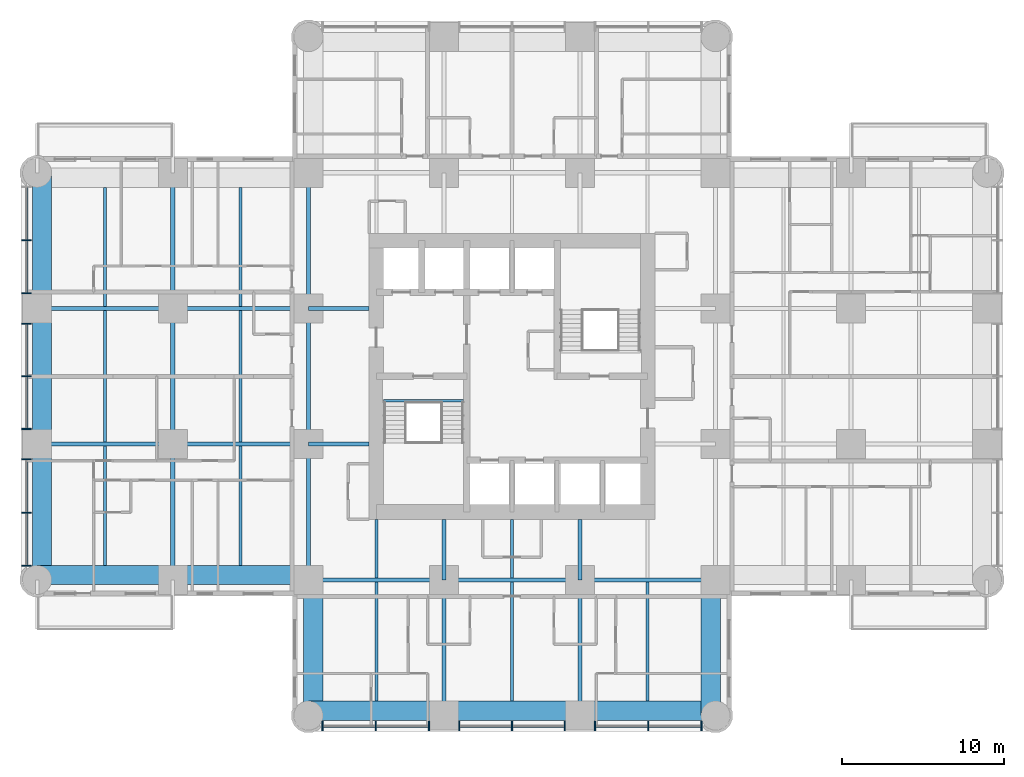
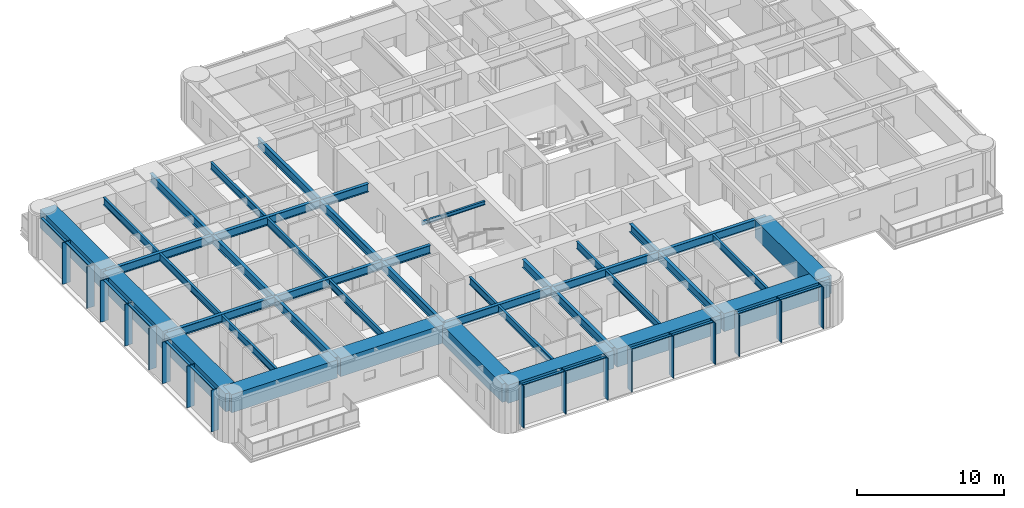
# One storey, part 2 of 14: 41 beams, 29 members, 2 elements without a shape of their own.
"""IFC4 building model written with IfcOpenShell, lengths in metres."""

from ifc_helpers import new_model, si_unit, direction, frame, origin, origin_2d, place, context, subcontext, project, spatial, rectangle, i_section, extrude, material, material_profile, profile_set, type_object, element, aggregate, save


model = new_model("IFC4")

# Units and contexts
model_context = context("Model", 3, precision=1e-05, world=origin(), true_north=direction((0.0, 1.0)))
body_context = subcontext(model_context, "Body", "Model", "MODEL_VIEW")
ifc_project = project(units=[si_unit("LENGTHUNIT", "METRE"), si_unit("AREAUNIT", "SQUARE_METRE"), si_unit("VOLUMEUNIT", "CUBIC_METRE"), si_unit("PLANEANGLEUNIT", "RADIAN"), si_unit("MASSUNIT", "GRAM", prefix="KILO")], contexts=[model_context])

# Site, building, storey
site_placement = place(None, origin())
site = spatial("IfcSite", under=ifc_project, at=site_placement, CompositionType="ELEMENT")
building_placement = place(site_placement, origin())
building = spatial("IfcBuilding", under=site, at=building_placement, Name="Torre Alcanfor", CompositionType="ELEMENT")
storey_placement = place(building_placement, frame((0.0, 0.0, 170.10009765625)))
storey = spatial("IfcBuildingStorey", under=building, at=storey_placement, Name="L44", CompositionType="ELEMENT", Elevation=170.10009765625)

# Curtain wall, members
ifc_material_1 = material(Name="Aluminium and glass", Category="aluminium")
curtain_wall_type = type_object("IfcCurtainWallType", Name="CW-A unitised apartment glazing with vertical FIN", PredefinedType="NOTDEFINED", material=ifc_material_1)
curtain_wall_1_placement = place(storey_placement, origin())
curtain_wall_1 = element("IfcCurtainWall", 1, at=curtain_wall_1_placement, inside=storey, type_object=curtain_wall_type, Name="Curtain wall CW-A L44 2", PredefinedType="NOTDEFINED")
ifc_material_2 = material(Name="Bronze anodised aluminium", Category="aluminium")
ifc_material_profile_1 = material_profile(ifc_material_2, rectangle(XDim=0.60009765625, YDim=0.06494140625, at=origin_2d()), Name="CW-A mullion 65x600")
ifc_profile_set_1 = profile_set([ifc_material_profile_1], Name="Bronze anodised aluminium")
member_type_1 = type_object("IfcMemberType", Name="CW-A mullion with vertical FIN 65x600", PredefinedType="MULLION", material=ifc_profile_set_1)
member_1_placement = place(storey_placement, frame((-0.64990234375, 37.835205078125, 0.0), z_axis=(0.0, 0.0, 1.0), x_axis=(1.0, 0.0, 0.0)))
member_1 = element("IfcMember", 2, at=member_1_placement, type_object=member_type_1, Name="CW-A mullion 1.2", PredefinedType="MULLION", context=body_context, shape_type="SweptSolid", body=[
    extrude(rectangle(XDim=0.60009765625, YDim=0.06494140625, at=origin_2d()), origin(), (0.0, 0.0, 1.0), 3.449951171875),
])
member_2_placement = place(storey_placement, frame((-0.64990234375, 34.53759765625, 0.0), z_axis=(0.0, 0.0, 1.0), x_axis=(1.0, 0.0, 0.0)))
member_2 = element("IfcMember", 3, at=member_2_placement, type_object=member_type_1, Name="CW-A mullion 1.3", PredefinedType="MULLION", context=body_context, shape_type="SweptSolid", body=[
    extrude(rectangle(XDim=0.60009765625, YDim=0.06494140625, at=origin_2d()), origin(), (0.0, 0.0, 1.0), 3.449951171875),
])
member_3_placement = place(storey_placement, frame((-0.64990234375, 32.66259765625, 0.0), z_axis=(0.0, 0.0, 1.0), x_axis=(1.0, 0.0, 0.0)))
member_3 = element("IfcMember", 4, at=member_3_placement, type_object=member_type_1, Name="CW-A mullion 2.1", PredefinedType="MULLION", context=body_context, shape_type="SweptSolid", body=[
    extrude(rectangle(XDim=0.60009765625, YDim=0.06494140625, at=origin_2d()), origin(), (0.0, 0.0, 1.0), 3.449951171875),
])
member_4_placement = place(storey_placement, frame((-0.64990234375, 29.39990234375, 0.0), z_axis=(0.0, 0.0, 1.0), x_axis=(1.0, 0.0, 0.0)))
member_4 = element("IfcMember", 5, at=member_4_placement, type_object=member_type_1, Name="CW-A mullion 2.2", PredefinedType="MULLION", context=body_context, shape_type="SweptSolid", body=[
    extrude(rectangle(XDim=0.60009765625, YDim=0.06494140625, at=origin_2d()), origin(), (0.0, 0.0, 1.0), 3.449951171875),
])
member_5_placement = place(storey_placement, frame((-0.64990234375, 26.137451171875, 0.0), z_axis=(0.0, 0.0, 1.0), x_axis=(1.0, 0.0, 0.0)))
member_5 = element("IfcMember", 6, at=member_5_placement, type_object=member_type_1, Name="CW-A mullion 2.3", PredefinedType="MULLION", context=body_context, shape_type="SweptSolid", body=[
    extrude(rectangle(XDim=0.60009765625, YDim=0.06494140625, at=origin_2d()), origin(), (0.0, 0.0, 1.0), 3.449951171875),
])
member_6_placement = place(storey_placement, frame((-0.64990234375, 24.262451171875, 0.0), z_axis=(0.0, 0.0, 1.0), x_axis=(1.0, 0.0, 0.0)))
member_6 = element("IfcMember", 7, at=member_6_placement, type_object=member_type_1, Name="CW-A mullion 3.1", PredefinedType="MULLION", context=body_context, shape_type="SweptSolid", body=[
    extrude(rectangle(XDim=0.60009765625, YDim=0.06494140625, at=origin_2d()), origin(), (0.0, 0.0, 1.0), 3.449951171875),
])
member_7_placement = place(storey_placement, frame((-0.64990234375, 20.96484375, 0.0), z_axis=(0.0, 0.0, 1.0), x_axis=(1.0, 0.0, 0.0)))
member_7 = element("IfcMember", 8, at=member_7_placement, type_object=member_type_1, Name="CW-A mullion 3.2", PredefinedType="MULLION", context=body_context, shape_type="SweptSolid", body=[
    extrude(rectangle(XDim=0.60009765625, YDim=0.06494140625, at=origin_2d()), origin(), (0.0, 0.0, 1.0), 3.449951171875),
])
member_8_placement = place(storey_placement, frame((-0.64990234375, 17.6669921875, 0.0), z_axis=(0.0, 0.0, 1.0), x_axis=(1.0, 0.0, 0.0)))
member_8 = element("IfcMember", 9, at=member_8_placement, type_object=member_type_1, Name="CW-A mullion 3.3", PredefinedType="MULLION", context=body_context, shape_type="SweptSolid", body=[
    extrude(rectangle(XDim=0.60009765625, YDim=0.06494140625, at=origin_2d()), origin(), (0.0, 0.0, 1.0), 3.449951171875),
])

curtain_wall_2_placement = place(storey_placement, origin())
curtain_wall_2 = element("IfcCurtainWall", 10, at=curtain_wall_2_placement, inside=storey, type_object=curtain_wall_type, Name="Curtain wall CW-A L44 5", PredefinedType="NOTDEFINED")
member_9_placement = place(storey_placement, frame((17.6669921875, 7.75, 0.0), z_axis=(0.0, 0.0, 1.0), x_axis=(0.0, 1.0, 0.0)))
member_9 = element("IfcMember", 11, at=member_9_placement, type_object=member_type_1, Name="CW-A mullion 1.1", PredefinedType="MULLION", context=body_context, shape_type="SweptSolid", body=[
    extrude(rectangle(XDim=0.60009765625, YDim=0.06494140625, at=origin_2d()), origin(), (0.0, 0.0, 1.0), 3.449951171875),
])
member_10_placement = place(storey_placement, frame((20.96484375, 7.75, 0.0), z_axis=(0.0, 0.0, 1.0), x_axis=(0.0, 1.0, 0.0)))
member_10 = element("IfcMember", 12, at=member_10_placement, type_object=member_type_1, Name="CW-A mullion 1.2", PredefinedType="MULLION", context=body_context, shape_type="SweptSolid", body=[
    extrude(rectangle(XDim=0.60009765625, YDim=0.06494140625, at=origin_2d()), origin(), (0.0, 0.0, 1.0), 3.449951171875),
])
member_11_placement = place(storey_placement, frame((24.262451171875, 7.75, 0.0), z_axis=(0.0, 0.0, 1.0), x_axis=(0.0, 1.0, 0.0)))
member_11 = element("IfcMember", 13, at=member_11_placement, type_object=member_type_1, Name="CW-A mullion 1.3", PredefinedType="MULLION", context=body_context, shape_type="SweptSolid", body=[
    extrude(rectangle(XDim=0.60009765625, YDim=0.06494140625, at=origin_2d()), origin(), (0.0, 0.0, 1.0), 3.449951171875),
])
member_12_placement = place(storey_placement, frame((26.137451171875, 7.75, 0.0), z_axis=(0.0, 0.0, 1.0), x_axis=(0.0, 1.0, 0.0)))
member_12 = element("IfcMember", 14, at=member_12_placement, type_object=member_type_1, Name="CW-A mullion 2.1", PredefinedType="MULLION", context=body_context, shape_type="SweptSolid", body=[
    extrude(rectangle(XDim=0.60009765625, YDim=0.06494140625, at=origin_2d()), origin(), (0.0, 0.0, 1.0), 3.449951171875),
])
member_13_placement = place(storey_placement, frame((29.39990234375, 7.75, 0.0), z_axis=(0.0, 0.0, 1.0), x_axis=(0.0, 1.0, 0.0)))
member_13 = element("IfcMember", 15, at=member_13_placement, type_object=member_type_1, Name="CW-A mullion 2.2", PredefinedType="MULLION", context=body_context, shape_type="SweptSolid", body=[
    extrude(rectangle(XDim=0.60009765625, YDim=0.06494140625, at=origin_2d()), origin(), (0.0, 0.0, 1.0), 3.449951171875),
])
member_14_placement = place(storey_placement, frame((32.66259765625, 7.75, 0.0), z_axis=(0.0, 0.0, 1.0), x_axis=(0.0, 1.0, 0.0)))
member_14 = element("IfcMember", 16, at=member_14_placement, type_object=member_type_1, Name="CW-A mullion 2.3", PredefinedType="MULLION", context=body_context, shape_type="SweptSolid", body=[
    extrude(rectangle(XDim=0.60009765625, YDim=0.06494140625, at=origin_2d()), origin(), (0.0, 0.0, 1.0), 3.449951171875),
])
member_15_placement = place(storey_placement, frame((34.53759765625, 7.75, 0.0), z_axis=(0.0, 0.0, 1.0), x_axis=(0.0, 1.0, 0.0)))
member_15 = element("IfcMember", 17, at=member_15_placement, type_object=member_type_1, Name="CW-A mullion 3.1", PredefinedType="MULLION", context=body_context, shape_type="SweptSolid", body=[
    extrude(rectangle(XDim=0.60009765625, YDim=0.06494140625, at=origin_2d()), origin(), (0.0, 0.0, 1.0), 3.449951171875),
])
member_16_placement = place(storey_placement, frame((37.835205078125, 7.75, 0.0), z_axis=(0.0, 0.0, 1.0), x_axis=(0.0, 1.0, 0.0)))
member_16 = element("IfcMember", 18, at=member_16_placement, type_object=member_type_1, Name="CW-A mullion 3.2", PredefinedType="MULLION", context=body_context, shape_type="SweptSolid", body=[
    extrude(rectangle(XDim=0.60009765625, YDim=0.06494140625, at=origin_2d()), origin(), (0.0, 0.0, 1.0), 3.449951171875),
])
member_17_placement = place(storey_placement, frame((41.133056640625, 7.75, 0.0), z_axis=(0.0, 0.0, 1.0), x_axis=(0.0, 1.0, 0.0)))
member_17 = element("IfcMember", 19, at=member_17_placement, type_object=member_type_1, Name="CW-A mullion 3.3", PredefinedType="MULLION", context=body_context, shape_type="SweptSolid", body=[
    extrude(rectangle(XDim=0.60009765625, YDim=0.06494140625, at=origin_2d()), origin(), (0.0, 0.0, 1.0), 3.449951171875),
])

# Member
ifc_material_3 = material(Name="Extruded aluminium", Category="aluminium")
ifc_material_profile_2 = material_profile(ifc_material_3, rectangle(XDim=0.199951171875, YDim=0.06494140625, at=origin_2d()), Name="CW-A transom 200x65")
ifc_profile_set_2 = profile_set([ifc_material_profile_2], Name="Extruded aluminium")
member_type_2 = type_object("IfcMemberType", Name="CW-A transom 65x200", PredefinedType="USERDEFINED", material=ifc_profile_set_2)
member_18_placement = place(storey_placement, frame((-0.64990234375, 41.1005859375, 3.41748046875), z_axis=(0.0, -1.0, 0.0), x_axis=(1.0, 0.0, 0.0)))
member_18 = element("IfcMember", 20, at=member_18_placement, type_object=member_type_2, Name="CW-A transom 1.1.2", ObjectType="TRANSOM", PredefinedType="USERDEFINED", context=body_context, shape_type="SweptSolid", body=[
    extrude(rectangle(XDim=0.199951171875, YDim=0.06494140625, at=origin_2d()), origin(), (0.0, 0.0, 1.0), 3.23291015625),
])

member_19_placement = place(storey_placement, frame((-0.64990234375, 37.802734375, 3.41748046875), z_axis=(0.0, -1.0, 0.0), x_axis=(1.0, 0.0, 0.0)))
member_19 = element("IfcMember", 21, at=member_19_placement, type_object=member_type_2, Name="CW-A transom 1.2.2", ObjectType="TRANSOM", PredefinedType="USERDEFINED", context=body_context, shape_type="SweptSolid", body=[
    extrude(rectangle(XDim=0.199951171875, YDim=0.06494140625, at=origin_2d()), origin(), (0.0, 0.0, 1.0), 3.232666015625),
])

member_20_placement = place(storey_placement, frame((-0.64990234375, 32.6298828125, 3.41748046875), z_axis=(0.0, -1.0, 0.0), x_axis=(1.0, 0.0, 0.0)))
member_20 = element("IfcMember", 22, at=member_20_placement, type_object=member_type_2, Name="CW-A transom 2.1.2", ObjectType="TRANSOM", PredefinedType="USERDEFINED", context=body_context, shape_type="SweptSolid", body=[
    extrude(rectangle(XDim=0.199951171875, YDim=0.06494140625, at=origin_2d()), origin(), (0.0, 0.0, 1.0), 3.197265625),
])

member_21_placement = place(storey_placement, frame((-0.64990234375, 29.367431640625, 3.41748046875), z_axis=(0.0, -1.0, 0.0), x_axis=(1.0, 0.0, 0.0)))
member_21 = element("IfcMember", 23, at=member_21_placement, type_object=member_type_2, Name="CW-A transom 2.2.2", ObjectType="TRANSOM", PredefinedType="USERDEFINED", context=body_context, shape_type="SweptSolid", body=[
    extrude(rectangle(XDim=0.199951171875, YDim=0.06494140625, at=origin_2d()), origin(), (0.0, 0.0, 1.0), 3.197509765625),
])

member_22_placement = place(storey_placement, frame((-0.64990234375, 24.22998046875, 3.41748046875), z_axis=(0.0, -1.0, 0.0), x_axis=(1.0, 0.0, 0.0)))
member_22 = element("IfcMember", 24, at=member_22_placement, type_object=member_type_2, Name="CW-A transom 3.1.2", ObjectType="TRANSOM", PredefinedType="USERDEFINED", context=body_context, shape_type="SweptSolid", body=[
    extrude(rectangle(XDim=0.199951171875, YDim=0.06494140625, at=origin_2d()), origin(), (0.0, 0.0, 1.0), 3.232666015625),
])

member_23_placement = place(storey_placement, frame((-0.64990234375, 20.93212890625, 3.41748046875), z_axis=(0.0, -1.0, 0.0), x_axis=(1.0, 0.0, 0.0)))
member_23 = element("IfcMember", 25, at=member_23_placement, type_object=member_type_2, Name="CW-A transom 3.2.2", ObjectType="TRANSOM", PredefinedType="USERDEFINED", context=body_context, shape_type="SweptSolid", body=[
    extrude(rectangle(XDim=0.199951171875, YDim=0.06494140625, at=origin_2d()), origin(), (0.0, 0.0, 1.0), 3.232666015625),
])

aggregate(curtain_wall_1, [member_1, member_2, member_18, member_19, member_3, member_4, member_5, member_20, member_21, member_6, member_7, member_8, member_22, member_23])

member_24_placement = place(storey_placement, frame((17.699462890625, 7.75, 3.41748046875), z_axis=(1.0, 0.0, 0.0), x_axis=(0.0, 1.0, 0.0)))
member_24 = element("IfcMember", 26, at=member_24_placement, type_object=member_type_2, Name="CW-A transom 1.1.2", ObjectType="TRANSOM", PredefinedType="USERDEFINED", context=body_context, shape_type="SweptSolid", body=[
    extrude(rectangle(XDim=0.199951171875, YDim=0.06494140625, at=origin_2d()), origin(), (0.0, 0.0, 1.0), 3.232666015625),
])

member_25_placement = place(storey_placement, frame((20.997314453125, 7.75, 3.41748046875), z_axis=(1.0, 0.0, 0.0), x_axis=(0.0, 1.0, 0.0)))
member_25 = element("IfcMember", 27, at=member_25_placement, type_object=member_type_2, Name="CW-A transom 1.2.2", ObjectType="TRANSOM", PredefinedType="USERDEFINED", context=body_context, shape_type="SweptSolid", body=[
    extrude(rectangle(XDim=0.199951171875, YDim=0.06494140625, at=origin_2d()), origin(), (0.0, 0.0, 1.0), 3.232666015625),
])

member_26_placement = place(storey_placement, frame((26.169921875, 7.75, 3.41748046875), z_axis=(1.0, 0.0, 0.0), x_axis=(0.0, 1.0, 0.0)))
member_26 = element("IfcMember", 28, at=member_26_placement, type_object=member_type_2, Name="CW-A transom 2.1.2", ObjectType="TRANSOM", PredefinedType="USERDEFINED", context=body_context, shape_type="SweptSolid", body=[
    extrude(rectangle(XDim=0.199951171875, YDim=0.06494140625, at=origin_2d()), origin(), (0.0, 0.0, 1.0), 3.197509765625),
])

member_27_placement = place(storey_placement, frame((29.4326171875, 7.75, 3.41748046875), z_axis=(1.0, 0.0, 0.0), x_axis=(0.0, 1.0, 0.0)))
member_27 = element("IfcMember", 29, at=member_27_placement, type_object=member_type_2, Name="CW-A transom 2.2.2", ObjectType="TRANSOM", PredefinedType="USERDEFINED", context=body_context, shape_type="SweptSolid", body=[
    extrude(rectangle(XDim=0.199951171875, YDim=0.06494140625, at=origin_2d()), origin(), (0.0, 0.0, 1.0), 3.197265625),
])

member_28_placement = place(storey_placement, frame((34.570068359375, 7.75, 3.41748046875), z_axis=(1.0, 0.0, 0.0), x_axis=(0.0, 1.0, 0.0)))
member_28 = element("IfcMember", 30, at=member_28_placement, type_object=member_type_2, Name="CW-A transom 3.1.2", ObjectType="TRANSOM", PredefinedType="USERDEFINED", context=body_context, shape_type="SweptSolid", body=[
    extrude(rectangle(XDim=0.199951171875, YDim=0.06494140625, at=origin_2d()), origin(), (0.0, 0.0, 1.0), 3.232666015625),
])

member_29_placement = place(storey_placement, frame((37.86767578125, 7.75, 3.41748046875), z_axis=(1.0, 0.0, 0.0), x_axis=(0.0, 1.0, 0.0)))
member_29 = element("IfcMember", 31, at=member_29_placement, type_object=member_type_2, Name="CW-A transom 3.2.2", ObjectType="TRANSOM", PredefinedType="USERDEFINED", context=body_context, shape_type="SweptSolid", body=[
    extrude(rectangle(XDim=0.199951171875, YDim=0.06494140625, at=origin_2d()), origin(), (0.0, 0.0, 1.0), 3.23291015625),
])

aggregate(curtain_wall_2, [member_9, member_10, member_11, member_24, member_25, member_12, member_13, member_14, member_26, member_27, member_15, member_16, member_17, member_28, member_29])

# Beams
ifc_material_4 = material(Name="Steel ASTM A992 Grade 50", Category="steel")
ifc_material_profile_3 = material_profile(ifc_material_4, i_section(OverallWidth=0.25390625, OverallDepth=0.683349609375, WebThickness=0.012451171875, FlangeThickness=0.01904296875, at=origin_2d()), Name="W27x94")
ifc_profile_set_3 = profile_set([ifc_material_profile_3], Name="Steel ASTM A992 Grade 50")
beam_type_1 = type_object("IfcBeamType", Name="Girder W27x94", PredefinedType="BEAM", material=ifc_profile_set_3)
beam_1_placement = place(storey_placement, frame((16.800048828125, 16.800048828125, 3.108154296875), z_axis=(1.0, 0.0, 0.0), x_axis=(0.0, 1.0, 0.0)))
element("IfcBeam", 32, at=beam_1_placement, inside=storey, type_object=beam_type_1, Name="Beam 3E-4E under L45", PredefinedType="BEAM", context=body_context, shape_type="SweptSolid", body=[
    extrude(i_section(OverallWidth=0.25390625, OverallDepth=0.683349609375, WebThickness=0.012451171875, FlangeThickness=0.01904296875, at=origin_2d()), origin(), (0.0, 0.0, 1.0), 8.39990234375),
])
beam_2_placement = place(storey_placement, frame((25.199951171875, 16.800048828125, 3.108154296875), z_axis=(1.0, 0.0, 0.0), x_axis=(0.0, 1.0, 0.0)))
element("IfcBeam", 33, at=beam_2_placement, inside=storey, type_object=beam_type_1, Name="Beam 4E-5E under L45", PredefinedType="BEAM", context=body_context, shape_type="SweptSolid", body=[
    extrude(i_section(OverallWidth=0.25390625, OverallDepth=0.683349609375, WebThickness=0.012451171875, FlangeThickness=0.01904296875, at=origin_2d()), origin(), (0.0, 0.0, 1.0), 8.400146484375),
])
for number, where, z_axis, x_axis, name in (
    (34, (33.60009765625, 16.800048828125, 3.108154296875), (1.0, 0.0, 0.0), (0.0, 1.0, 0.0), "Beam 5E-6E under L45"),
    (35, (0.0, 25.199951171875, 3.108154296875), (1.0, 0.0, 0.0), (0.0, 1.0, 0.0), "Beam 1F-2F under L45"),
):
    element("IfcBeam", number, at=place(storey_placement, frame(where, z_axis=z_axis, x_axis=x_axis)), inside=storey, type_object=beam_type_1, Name=name, PredefinedType="BEAM", context=body_context, shape_type="SweptSolid", body=[
        extrude(i_section(OverallWidth=0.25390625, OverallDepth=0.683349609375, WebThickness=0.012451171875, FlangeThickness=0.01904296875, at=origin_2d()), origin(), (0.0, 0.0, 1.0), 8.39990234375),
    ])
beam_3_placement = place(storey_placement, frame((8.39990234375, 25.199951171875, 3.108154296875), z_axis=(1.0, 0.0, 0.0), x_axis=(0.0, 1.0, 0.0)))
element("IfcBeam", 36, at=beam_3_placement, inside=storey, type_object=beam_type_1, Name="Beam 2F-3F under L45", PredefinedType="BEAM", context=body_context, shape_type="SweptSolid", body=[
    extrude(i_section(OverallWidth=0.25390625, OverallDepth=0.683349609375, WebThickness=0.012451171875, FlangeThickness=0.01904296875, at=origin_2d()), origin(), (0.0, 0.0, 1.0), 8.400146484375),
])
beam_4_placement = place(storey_placement, frame((0.0, 33.60009765625, 3.108154296875), z_axis=(1.0, 0.0, 0.0), x_axis=(0.0, 1.0, 0.0)))
element("IfcBeam", 37, at=beam_4_placement, inside=storey, type_object=beam_type_1, Name="Beam 1G-2G under L45", PredefinedType="BEAM", context=body_context, shape_type="SweptSolid", body=[
    extrude(i_section(OverallWidth=0.25390625, OverallDepth=0.683349609375, WebThickness=0.012451171875, FlangeThickness=0.01904296875, at=origin_2d()), origin(), (0.0, 0.0, 1.0), 8.39990234375),
])
beam_5_placement = place(storey_placement, frame((8.39990234375, 33.60009765625, 3.108154296875), z_axis=(1.0, 0.0, 0.0), x_axis=(0.0, 1.0, 0.0)))
element("IfcBeam", 38, at=beam_5_placement, inside=storey, type_object=beam_type_1, Name="Beam 2G-3G under L45", PredefinedType="BEAM", context=body_context, shape_type="SweptSolid", body=[
    extrude(i_section(OverallWidth=0.25390625, OverallDepth=0.683349609375, WebThickness=0.012451171875, FlangeThickness=0.01904296875, at=origin_2d()), origin(), (0.0, 0.0, 1.0), 8.400146484375),
])
beam_6_placement = place(storey_placement, frame((8.39990234375, 16.800048828125, 3.108154296875), z_axis=(0.0, 1.0, 0.0), x_axis=(-1.0, 0.0, 0.0)))
element("IfcBeam", 39, at=beam_6_placement, inside=storey, type_object=beam_type_1, Name="Beam 2E-2F under L45", PredefinedType="BEAM", context=body_context, shape_type="SweptSolid", body=[
    extrude(i_section(OverallWidth=0.25390625, OverallDepth=0.683349609375, WebThickness=0.012451171875, FlangeThickness=0.01904296875, at=origin_2d()), origin(), (0.0, 0.0, 1.0), 8.39990234375),
])
beam_7_placement = place(storey_placement, frame((8.39990234375, 25.199951171875, 3.108154296875), z_axis=(0.0, 1.0, 0.0), x_axis=(-1.0, 0.0, 0.0)))
element("IfcBeam", 40, at=beam_7_placement, inside=storey, type_object=beam_type_1, Name="Beam 2F-2G under L45", PredefinedType="BEAM", context=body_context, shape_type="SweptSolid", body=[
    extrude(i_section(OverallWidth=0.25390625, OverallDepth=0.683349609375, WebThickness=0.012451171875, FlangeThickness=0.01904296875, at=origin_2d()), origin(), (0.0, 0.0, 1.0), 8.400146484375),
])
for number, where, z_axis, x_axis, name in (
    (41, (8.39990234375, 33.60009765625, 3.108154296875), (0.0, 1.0, 0.0), (-1.0, 0.0, 0.0), "Beam 2G-2H under L45"),
    (42, (16.800048828125, 16.800048828125, 3.108154296875), (0.0, 1.0, 0.0), (-1.0, 0.0, 0.0), "Beam 3E-3F under L45"),
):
    element("IfcBeam", number, at=place(storey_placement, frame(where, z_axis=z_axis, x_axis=x_axis)), inside=storey, type_object=beam_type_1, Name=name, PredefinedType="BEAM", context=body_context, shape_type="SweptSolid", body=[
        extrude(i_section(OverallWidth=0.25390625, OverallDepth=0.683349609375, WebThickness=0.012451171875, FlangeThickness=0.01904296875, at=origin_2d()), origin(), (0.0, 0.0, 1.0), 8.39990234375),
    ])
beam_8_placement = place(storey_placement, frame((16.800048828125, 25.199951171875, 3.108154296875), z_axis=(0.0, 1.0, 0.0), x_axis=(-1.0, 0.0, 0.0)))
element("IfcBeam", 43, at=beam_8_placement, inside=storey, type_object=beam_type_1, Name="Beam 3F-3G under L45", PredefinedType="BEAM", context=body_context, shape_type="SweptSolid", body=[
    extrude(i_section(OverallWidth=0.25390625, OverallDepth=0.683349609375, WebThickness=0.012451171875, FlangeThickness=0.01904296875, at=origin_2d()), origin(), (0.0, 0.0, 1.0), 8.400146484375),
])
beam_9_placement = place(storey_placement, frame((16.800048828125, 33.60009765625, 3.108154296875), z_axis=(0.0, 1.0, 0.0), x_axis=(-1.0, 0.0, 0.0)))
element("IfcBeam", 44, at=beam_9_placement, inside=storey, type_object=beam_type_1, Name="Beam 3G-3H under L45", PredefinedType="BEAM", context=body_context, shape_type="SweptSolid", body=[
    extrude(i_section(OverallWidth=0.25390625, OverallDepth=0.683349609375, WebThickness=0.012451171875, FlangeThickness=0.01904296875, at=origin_2d()), origin(), (0.0, 0.0, 1.0), 8.39990234375),
])
for number, where, z_axis, x_axis, name in (
    (45, (25.199951171875, 8.39990234375, 3.108154296875), (0.0, 1.0, 0.0), (-1.0, 0.0, 0.0), "Beam 4D-4E under L45"),
    (46, (33.60009765625, 8.39990234375, 3.108154296875), (0.0, 1.0, 0.0), (-1.0, 0.0, 0.0), "Beam 5D-5E under L45"),
):
    element("IfcBeam", number, at=place(storey_placement, frame(where, z_axis=z_axis, x_axis=x_axis)), inside=storey, type_object=beam_type_1, Name=name, PredefinedType="BEAM", context=body_context, shape_type="SweptSolid", body=[
        extrude(i_section(OverallWidth=0.25390625, OverallDepth=0.683349609375, WebThickness=0.012451171875, FlangeThickness=0.01904296875, at=origin_2d()), origin(), (0.0, 0.0, 1.0), 8.400146484375),
    ])
ifc_material_5 = material(Name="Steel ASTM A992 Grade 50", Category="steel")
ifc_material_profile_4 = material_profile(ifc_material_5, i_section(OverallWidth=0.25390625, OverallDepth=0.683349609375, WebThickness=0.012451171875, FlangeThickness=0.01904296875, at=origin_2d()), Name="W27x94")
ifc_profile_set_4 = profile_set([ifc_material_profile_4], Name="Steel ASTM A992 Grade 50")
beam_type_2 = type_object("IfcBeamType", Name="Girder, part bay W27x94", PredefinedType="BEAM", material=ifc_profile_set_4)
for number, where, z_axis, x_axis, name in (
    (47, (25.199951171875, 16.800048828125, 3.108154296875), (0.0, 1.0, 0.0), (-1.0, 0.0, 0.0), "Beam 4E-420_55 under L45"),
    (48, (33.60009765625, 16.800048828125, 3.108154296875), (0.0, 1.0, 0.0), (-1.0, 0.0, 0.0), "Beam 5E-520_55 under L45"),
    (49, (16.800048828125, 25.199951171875, 3.108154296875), (1.0, 0.0, 0.0), (0.0, 1.0, 0.0), "Beam 3F-20_55F under L45"),
    (50, (16.800048828125, 33.60009765625, 3.108154296875), (1.0, 0.0, 0.0), (0.0, 1.0, 0.0), "Beam 3G-20_55G under L45"),
):
    element("IfcBeam", number, at=place(storey_placement, frame(where, z_axis=z_axis, x_axis=x_axis)), inside=storey, type_object=beam_type_2, Name=name, PredefinedType="BEAM", context=body_context, shape_type="SweptSolid", body=[
        extrude(i_section(OverallWidth=0.25390625, OverallDepth=0.683349609375, WebThickness=0.012451171875, FlangeThickness=0.01904296875, at=origin_2d()), origin(), (0.0, 0.0, 1.0), 3.75),
    ])
ifc_material_6 = material(Name="Concrete f'c 70 MPa", Category="concrete")
ifc_material_profile_5 = material_profile(ifc_material_6, rectangle(XDim=1.199951171875, YDim=1.5, at=origin_2d()), Name="1200x1500")
ifc_profile_set_5 = profile_set([ifc_material_profile_5], Name="Concrete f'c 70 MPa")
beam_type_3 = type_object("IfcBeamType", Name="RC perimeter beam 1200x1500", PredefinedType="BEAM", material=ifc_profile_set_5)
beam_10_placement = place(storey_placement, frame((16.800048828125, 8.699951171875, 2.699951171875), z_axis=(1.0, 0.0, 0.0), x_axis=(0.0, 1.0, 0.0)))
element("IfcBeam", 51, at=beam_10_placement, inside=storey, type_object=beam_type_3, Name="Beam 3D-4D under L45", PredefinedType="BEAM", context=body_context, shape_type="SweptSolid", body=[
    extrude(rectangle(XDim=1.199951171875, YDim=1.5, at=origin_2d()), origin(), (0.0, 0.0, 1.0), 8.27294921875),
])
beam_11_placement = place(storey_placement, frame((25.326904296875, 8.699951171875, 2.699951171875), z_axis=(1.0, 0.0, 0.0), x_axis=(0.0, 1.0, 0.0)))
element("IfcBeam", 52, at=beam_11_placement, inside=storey, type_object=beam_type_3, Name="Beam 4D-5D under L45", PredefinedType="BEAM", context=body_context, shape_type="SweptSolid", body=[
    extrude(rectangle(XDim=1.199951171875, YDim=1.5, at=origin_2d()), origin(), (0.0, 0.0, 1.0), 8.14599609375),
])
for number, where, z_axis, x_axis, name in (
    (53, (33.72705078125, 8.699951171875, 2.699951171875), (1.0, 0.0, 0.0), (0.0, 1.0, 0.0), "Beam 5D-6D under L45"),
    (54, (0.0, 17.10009765625, 2.699951171875), (1.0, 0.0, 0.0), (0.0, 1.0, 0.0), "Beam 1E-2E under L45"),
):
    element("IfcBeam", number, at=place(storey_placement, frame(where, z_axis=z_axis, x_axis=x_axis)), inside=storey, type_object=beam_type_3, Name=name, PredefinedType="BEAM", context=body_context, shape_type="SweptSolid", body=[
        extrude(rectangle(XDim=1.199951171875, YDim=1.5, at=origin_2d()), origin(), (0.0, 0.0, 1.0), 8.27294921875),
    ])
beam_12_placement = place(storey_placement, frame((8.527099609375, 17.10009765625, 2.699951171875), z_axis=(1.0, 0.0, 0.0), x_axis=(0.0, 1.0, 0.0)))
element("IfcBeam", 55, at=beam_12_placement, inside=storey, type_object=beam_type_3, Name="Beam 2E-3E under L45", PredefinedType="BEAM", context=body_context, shape_type="SweptSolid", body=[
    extrude(rectangle(XDim=1.199951171875, YDim=1.5, at=origin_2d()), origin(), (0.0, 0.0, 1.0), 8.14599609375),
])
beam_13_placement = place(storey_placement, frame((0.300048828125, 16.800048828125, 2.699951171875), z_axis=(0.0, 1.0, 0.0), x_axis=(-1.0, 0.0, 0.0)))
element("IfcBeam", 56, at=beam_13_placement, inside=storey, type_object=beam_type_3, Name="Beam 1E-1F under L45", PredefinedType="BEAM", context=body_context, shape_type="SweptSolid", body=[
    extrude(rectangle(XDim=1.199951171875, YDim=1.5, at=origin_2d()), origin(), (0.0, 0.0, 1.0), 8.27294921875),
])
beam_14_placement = place(storey_placement, frame((0.300048828125, 25.326904296875, 2.699951171875), z_axis=(0.0, 1.0, 0.0), x_axis=(-1.0, 0.0, 0.0)))
element("IfcBeam", 57, at=beam_14_placement, inside=storey, type_object=beam_type_3, Name="Beam 1F-1G under L45", PredefinedType="BEAM", context=body_context, shape_type="SweptSolid", body=[
    extrude(rectangle(XDim=1.199951171875, YDim=1.5, at=origin_2d()), origin(), (0.0, 0.0, 1.0), 8.14599609375),
])
beam_15_placement = place(storey_placement, frame((0.300048828125, 33.72705078125, 2.699951171875), z_axis=(0.0, 1.0, 0.0), x_axis=(-1.0, 0.0, 0.0)))
element("IfcBeam", 58, at=beam_15_placement, inside=storey, type_object=beam_type_3, Name="Beam 1G-1H under L45", PredefinedType="BEAM", context=body_context, shape_type="SweptSolid", body=[
    extrude(rectangle(XDim=1.199951171875, YDim=1.5, at=origin_2d()), origin(), (0.0, 0.0, 1.0), 8.27294921875),
])
for number, where, z_axis, x_axis, name in (
    (59, (17.10009765625, 8.39990234375, 2.699951171875), (0.0, 1.0, 0.0), (-1.0, 0.0, 0.0), "Beam 3D-3E under L45"),
    (60, (41.699951171875, 8.39990234375, 2.699951171875), (0.0, 1.0, 0.0), (-1.0, 0.0, 0.0), "Beam 6D-6E under L45"),
):
    element("IfcBeam", number, at=place(storey_placement, frame(where, z_axis=z_axis, x_axis=x_axis)), inside=storey, type_object=beam_type_3, Name=name, PredefinedType="BEAM", context=body_context, shape_type="SweptSolid", body=[
        extrude(rectangle(XDim=1.199951171875, YDim=1.5, at=origin_2d()), origin(), (0.0, 0.0, 1.0), 8.273193359375),
    ])
ifc_material_7 = material(Name="Steel ASTM A992 Grade 50", Category="steel")
ifc_material_profile_6 = material_profile(ifc_material_7, i_section(OverallWidth=0.1787109375, OverallDepth=0.60205078125, WebThickness=0.010986328125, FlangeThickness=0.014892578125, at=origin_2d()), Name="W24x62")
ifc_profile_set_6 = profile_set([ifc_material_profile_6], Name="Steel ASTM A992 Grade 50")
beam_type_4 = type_object("IfcBeamType", Name="Secondary beam W24x62", PredefinedType="BEAM", material=ifc_profile_set_6)
beam_16_placement = place(storey_placement, frame((4.199951171875, 17.699951171875, 3.14892578125), z_axis=(0.0, 1.0, 0.0), x_axis=(-1.0, 0.0, 0.0)))
element("IfcBeam", 61, at=beam_16_placement, inside=storey, type_object=beam_type_4, Name="Beam 4_2E-4_2F under L45", PredefinedType="BEAM", context=body_context, shape_type="SweptSolid", body=[
    extrude(i_section(OverallWidth=0.1787109375, OverallDepth=0.60205078125, WebThickness=0.010986328125, FlangeThickness=0.014892578125, at=origin_2d()), origin(), (0.0, 0.0, 1.0), 7.373046875),
])
beam_17_placement = place(storey_placement, frame((4.199951171875, 25.326904296875, 3.14892578125), z_axis=(0.0, 1.0, 0.0), x_axis=(-1.0, 0.0, 0.0)))
element("IfcBeam", 62, at=beam_17_placement, inside=storey, type_object=beam_type_4, Name="Beam 4_2F-4_2G under L45", PredefinedType="BEAM", context=body_context, shape_type="SweptSolid", body=[
    extrude(i_section(OverallWidth=0.1787109375, OverallDepth=0.60205078125, WebThickness=0.010986328125, FlangeThickness=0.014892578125, at=origin_2d()), origin(), (0.0, 0.0, 1.0), 8.14599609375),
])
for number, where, z_axis, x_axis, name in (
    (63, (4.199951171875, 33.72705078125, 3.14892578125), (0.0, 1.0, 0.0), (-1.0, 0.0, 0.0), "Beam 4_2G-4_2H under L45"),
    (64, (12.60009765625, 17.699951171875, 3.14892578125), (0.0, 1.0, 0.0), (-1.0, 0.0, 0.0), "Beam 12_6E-12_6F under L45"),
):
    element("IfcBeam", number, at=place(storey_placement, frame(where, z_axis=z_axis, x_axis=x_axis)), inside=storey, type_object=beam_type_4, Name=name, PredefinedType="BEAM", context=body_context, shape_type="SweptSolid", body=[
        extrude(i_section(OverallWidth=0.1787109375, OverallDepth=0.60205078125, WebThickness=0.010986328125, FlangeThickness=0.014892578125, at=origin_2d()), origin(), (0.0, 0.0, 1.0), 7.373046875),
    ])
beam_18_placement = place(storey_placement, frame((12.60009765625, 25.326904296875, 3.14892578125), z_axis=(0.0, 1.0, 0.0), x_axis=(-1.0, 0.0, 0.0)))
element("IfcBeam", 65, at=beam_18_placement, inside=storey, type_object=beam_type_4, Name="Beam 12_6F-12_6G under L45", PredefinedType="BEAM", context=body_context, shape_type="SweptSolid", body=[
    extrude(i_section(OverallWidth=0.1787109375, OverallDepth=0.60205078125, WebThickness=0.010986328125, FlangeThickness=0.014892578125, at=origin_2d()), origin(), (0.0, 0.0, 1.0), 8.14599609375),
])
for number, where, z_axis, x_axis, name in (
    (66, (12.60009765625, 33.72705078125, 3.14892578125), (0.0, 1.0, 0.0), (-1.0, 0.0, 0.0), "Beam 12_6G-12_6H under L45"),
    (67, (21.0, 9.300048828125, 3.14892578125), (0.0, 1.0, 0.0), (-1.0, 0.0, 0.0), "Beam 21D-21E under L45"),
    (68, (29.39990234375, 9.300048828125, 3.14892578125), (0.0, 1.0, 0.0), (-1.0, 0.0, 0.0), "Beam 29_4D-29_4E under L45"),
    (69, (37.800048828125, 9.300048828125, 3.14892578125), (0.0, 1.0, 0.0), (-1.0, 0.0, 0.0), "Beam 37_8D-37_8E under L45"),
):
    element("IfcBeam", number, at=place(storey_placement, frame(where, z_axis=z_axis, x_axis=x_axis)), inside=storey, type_object=beam_type_4, Name=name, PredefinedType="BEAM", context=body_context, shape_type="SweptSolid", body=[
        extrude(i_section(OverallWidth=0.1787109375, OverallDepth=0.60205078125, WebThickness=0.010986328125, FlangeThickness=0.014892578125, at=origin_2d()), origin(), (0.0, 0.0, 1.0), 7.373046875),
    ])
ifc_material_8 = material(Name="Steel ASTM A992 Grade 50", Category="steel")
ifc_material_profile_7 = material_profile(ifc_material_8, i_section(OverallWidth=0.1787109375, OverallDepth=0.60205078125, WebThickness=0.010986328125, FlangeThickness=0.014892578125, at=origin_2d()), Name="W24x62")
ifc_profile_set_7 = profile_set([ifc_material_profile_7], Name="Steel ASTM A992 Grade 50")
beam_type_5 = type_object("IfcBeamType", Name="Secondary beam, part bay W24x62", PredefinedType="BEAM", material=ifc_profile_set_7)
for number, where, z_axis, x_axis, name in (
    (70, (21.0, 16.927001953125, 3.14892578125), (0.0, 1.0, 0.0), (-1.0, 0.0, 0.0), "Beam 21E-2120_55 under L45"),
    (71, (29.39990234375, 16.927001953125, 3.14892578125), (0.0, 1.0, 0.0), (-1.0, 0.0, 0.0), "Beam 29_4E-29_420_55 under L45"),
):
    element("IfcBeam", number, at=place(storey_placement, frame(where, z_axis=z_axis, x_axis=x_axis)), inside=storey, type_object=beam_type_5, Name=name, PredefinedType="BEAM", context=body_context, shape_type="SweptSolid", body=[
        extrude(i_section(OverallWidth=0.1787109375, OverallDepth=0.60205078125, WebThickness=0.010986328125, FlangeThickness=0.014892578125, at=origin_2d()), origin(), (0.0, 0.0, 1.0), 3.623046875),
    ])
ifc_material_9 = material(Name="Steel ASTM A992 Grade 50", Category="steel")
ifc_material_profile_8 = material_profile(ifc_material_9, i_section(OverallWidth=0.164794921875, OverallDepth=0.309814453125, WebThickness=0.005859375, FlangeThickness=0.009765625, at=origin_2d()), Name="W12x26")
ifc_profile_set_8 = profile_set([ifc_material_profile_8], Name="Steel ASTM A992 Grade 50")
beam_type_6 = type_object("IfcBeamType", Name="Stair landing beam W12x26", PredefinedType="BEAM", material=ifc_profile_set_8)
beam_19_placement = place(storey_placement, frame((21.449951171875, 27.887451171875, 3.244873046875), z_axis=(1.0, 0.0, 0.0), x_axis=(0.0, 1.0, 0.0)))
element("IfcBeam", 72, at=beam_19_placement, inside=storey, type_object=beam_type_6, Name="Landing trimmer S1 L45", PredefinedType="BEAM", context=body_context, shape_type="SweptSolid", body=[
    extrude(i_section(OverallWidth=0.164794921875, OverallDepth=0.309814453125, WebThickness=0.005859375, FlangeThickness=0.009765625, at=origin_2d()), origin(), (0.0, 0.0, 1.0), 4.949951171875),
])

save(model, "model.ifc")
